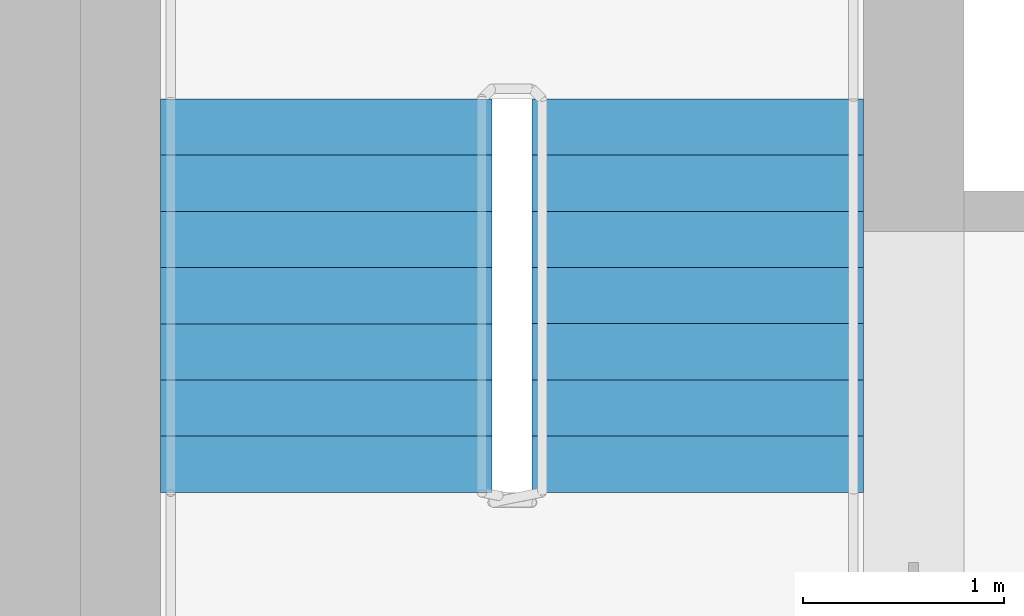
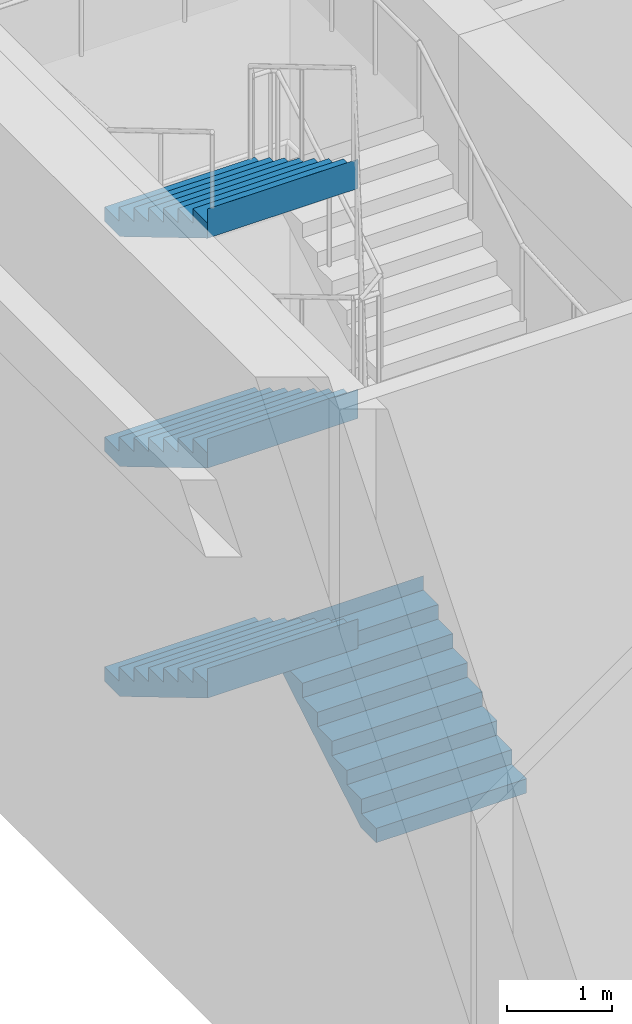
# One storey, part 6 of 11: 4 stair flights, 1 element without a shape of its own.
"""IFC4 building model written with IfcOpenShell, lengths in metres."""

from ifc_helpers import new_model, si_unit, direction, frame, origin, place, context, subcontext, project, spatial, polyline, outline, extrude, material, type_object, element, aggregate, save


model = new_model("IFC4")

# Units and contexts
model_context = context("Model", 3, precision=1e-05, world=origin(), true_north=direction((0.0, 1.0)))
body_context = subcontext(model_context, "Body", "Model", "MODEL_VIEW")
ifc_project = project(units=[si_unit("LENGTHUNIT", "METRE"), si_unit("AREAUNIT", "SQUARE_METRE"), si_unit("VOLUMEUNIT", "CUBIC_METRE"), si_unit("PLANEANGLEUNIT", "RADIAN"), si_unit("MASSUNIT", "GRAM", prefix="KILO")], contexts=[model_context])

# Site, building, storey
site_placement = place(None, origin())
site = spatial("IfcSite", under=ifc_project, at=site_placement, CompositionType="ELEMENT")
building_placement = place(site_placement, origin())
building = spatial("IfcBuilding", under=site, at=building_placement, Name="Tamorin Gate", CompositionType="ELEMENT")
storey_placement = place(building_placement, frame((0.0, 0.0, 258.199951171875)))
storey = spatial("IfcBuildingStorey", under=building, at=storey_placement, Name="L65", CompositionType="ELEMENT", Elevation=258.199951171875)

# Stair, stair flights
ifc_material = material(Name="Concrete C40/50", Category="concrete")
stair_type = type_object("IfcStairType", Name="Exit stair", PredefinedType="HALF_TURN_STAIR", material=ifc_material)
stair_placement = place(storey_placement, origin())
stair = element("IfcStair", 1, at=stair_placement, inside=storey, type_object=stair_type, Name="L65 stair ST2", PredefinedType="HALF_TURN_STAIR")
stair_flight_type = type_object("IfcStairFlightType", Name="Exit stair flight", PredefinedType="STRAIGHT", material=ifc_material)
stair_flight_1_placement = place(storey_placement, frame((33.675048828125, 77.0, 0.0), z_axis=(0.0, 0.0, 1.0), x_axis=(0.0, 1.0, 0.0)))
stair_flight_1 = element("IfcStairFlight", 2, at=stair_flight_1_placement, type_object=stair_flight_type, Name="ST2 flight 1", NumberOfRisers=8, NumberOfTreads=7, PredefinedType="STRAIGHT", RiserHeight=0.166666667, TreadLength=0.28, context=body_context, shape_type="SweptSolid", body=[
    extrude(outline(polyline([(-0.00048828125, 0.0), (-0.00048828125, 0.001708984375), (-0.00048828125, 0.00341796875), (-0.00048828125, 0.0048828125), (-0.00048828125, 0.006591796875), (-0.00048828125, 0.00830078125), (-0.00048828125, 0.010009765625), (-0.00048828125, 0.011474609375), (-0.00048828125, 0.01318359375), (-0.00048828125, 0.014892578125), (-0.00048828125, 0.0166015625), (-0.00048828125, 0.01806640625), (-0.00048828125, 0.019775390625), (-0.00048828125, 0.021484375), (-0.00048828125, 0.023193359375), (-0.00048828125, 0.024658203125), (-0.00048828125, 0.0263671875), (-0.00048828125, 0.028076171875), (-0.00048828125, 0.02978515625), (-0.00048828125, 0.03125), (-0.00048828125, 0.032958984375), (-0.00048828125, 0.03466796875), (-0.00048828125, 0.036376953125), (-0.00048828125, 0.037841796875), (-0.00048828125, 0.03955078125), (-0.00048828125, 0.041259765625), (-0.00048828125, 0.04296875), (-0.00048828125, 0.04443359375), (-0.00048828125, 0.046142578125), (-0.00048828125, 0.0478515625), (-0.00048828125, 0.049560546875), (-0.00048828125, 0.05126953125), (-0.00048828125, 0.052734375), (-0.00048828125, 0.054443359375), (-0.00048828125, 0.05615234375), (-0.00048828125, 0.057861328125), (-0.00048828125, 0.059326171875), (-0.00048828125, 0.06103515625), (-0.00048828125, 0.062744140625), (-0.00048828125, 0.064453125), (-0.00048828125, 0.06591796875), (-0.00048828125, 0.067626953125), (-0.00048828125, 0.0693359375), (-0.00048828125, 0.071044921875), (-0.00048828125, 0.072509765625), (-0.00048828125, 0.07421875), (-0.00048828125, 0.075927734375), (-0.00048828125, 0.07763671875), (-0.00048828125, 0.0791015625), (-0.00048828125, 0.080810546875), (-0.00048828125, 0.08251953125), (-0.00048828125, 0.084228515625), (-0.00048828125, 0.085693359375), (-0.00048828125, 0.08740234375), (-0.00048828125, 0.089111328125), (-0.00048828125, 0.0908203125), (-0.00048828125, 0.092529296875), (-0.00048828125, 0.093994140625), (-0.00048828125, 0.095703125), (-0.00048828125, 0.097412109375), (-0.00048828125, 0.09912109375), (-0.00048828125, 0.1005859375), (-0.00048828125, 0.102294921875), (-0.00048828125, 0.10400390625), (-0.00048828125, 0.105712890625), (-0.00048828125, 0.107177734375), (-0.00048828125, 0.10888671875), (-0.00048828125, 0.110595703125), (-0.00048828125, 0.1123046875), (-0.00048828125, 0.11376953125), (-0.00048828125, 0.115478515625), (-0.00048828125, 0.1171875), (-0.00048828125, 0.118896484375), (-0.00048828125, 0.120361328125), (-0.00048828125, 0.1220703125), (-0.00048828125, 0.123779296875), (-0.00048828125, 0.12548828125), (-0.00048828125, 0.126953125), (-0.00048828125, 0.128662109375), (-0.00048828125, 0.13037109375), (-0.00048828125, 0.132080078125), (-0.00048828125, 0.133544921875), (-0.00048828125, 0.13525390625), (-0.00048828125, 0.136962890625), (-0.00048828125, 0.138671875), (-0.00048828125, 0.140380859375), (-0.00048828125, 0.141845703125), (-0.00048828125, 0.1435546875), (-0.00048828125, 0.145263671875), (-0.00048828125, 0.14697265625), (-0.00048828125, 0.1484375), (-0.00048828125, 0.150146484375), (-0.00048828125, 0.15185546875), (-0.00048828125, 0.153564453125), (-0.00048828125, 0.155029296875), (-0.00048828125, 0.15673828125), (-0.00048828125, 0.158447265625), (-0.00048828125, 0.16015625), (-0.00048828125, 0.16162109375), (-0.00048828125, 0.163330078125), (-0.00048828125, 0.1650390625), (-0.00048828125, 0.166748046875), (0.280029296875, 0.166748046875), (0.280029296875, 0.333251953125), (0.56005859375, 0.333251953125), (0.56005859375, 0.5), (0.840087890625, 0.5), (0.840087890625, 0.666748046875), (1.1201171875, 0.666748046875), (1.1201171875, 0.833251953125), (1.39990234375, 0.833251953125), (1.39990234375, 1.0), (1.679931640625, 1.0), (1.679931640625, 1.166748046875), (1.9599609375, 1.166748046875), (1.9599609375, 1.333251953125), (1.96044921875, 1.333251953125), (1.96044921875, 1.329833984375), (1.96044921875, 1.32666015625), (1.96044921875, 1.3232421875), (1.96044921875, 1.31982421875), (1.96044921875, 1.31640625), (1.96044921875, 1.31298828125), (1.96044921875, 1.3095703125), (1.96044921875, 1.306396484375), (1.96044921875, 1.302978515625), (1.96044921875, 1.299560546875), (1.96044921875, 1.296142578125), (1.96044921875, 1.292724609375), (1.96044921875, 1.289306640625), (1.96044921875, 1.2861328125), (1.96044921875, 1.28271484375), (1.96044921875, 1.279296875), (1.96044921875, 1.27587890625), (1.96044921875, 1.2724609375), (1.96044921875, 1.26904296875), (1.96044921875, 1.265869140625), (1.96044921875, 1.262451171875), (1.96044921875, 1.259033203125), (1.96044921875, 1.255615234375), (1.96044921875, 1.252197265625), (1.96044921875, 1.248779296875), (1.96044921875, 1.24560546875), (1.96044921875, 1.2421875), (1.96044921875, 1.23876953125), (1.96044921875, 1.2353515625), (1.96044921875, 1.23193359375), (1.96044921875, 1.228515625), (1.96044921875, 1.225341796875), (1.96044921875, 1.221923828125), (1.96044921875, 1.218505859375), (1.96044921875, 1.215087890625), (1.96044921875, 1.211669921875), (1.96044921875, 1.208251953125), (1.96044921875, 1.205078125), (1.96044921875, 1.20166015625), (1.96044921875, 1.1982421875), (1.96044921875, 1.19482421875), (1.96044921875, 1.19140625), (1.96044921875, 1.18798828125), (1.96044921875, 1.184814453125), (1.96044921875, 1.181396484375), (1.96044921875, 1.177978515625), (1.96044921875, 1.174560546875), (1.96044921875, 1.171142578125), (1.96044921875, 1.167724609375), (1.96044921875, 1.16455078125), (1.96044921875, 1.1611328125), (1.96044921875, 1.15771484375), (1.96044921875, 1.154296875), (1.96044921875, 1.15087890625), (1.96044921875, 1.1474609375), (1.96044921875, 1.144287109375), (1.96044921875, 1.140869140625), (1.96044921875, 1.137451171875), (1.96044921875, 1.134033203125), (1.96044921875, 1.130615234375), (1.96044921875, 1.127197265625), (1.96044921875, 1.1240234375), (1.96044921875, 1.12060546875), (1.96044921875, 1.1171875), (1.96044921875, 1.11376953125), (1.96044921875, 1.1103515625), (1.96044921875, 1.10693359375), (1.96044921875, 1.103759765625), (1.96044921875, 1.100341796875), (1.96044921875, 1.096923828125), (1.96044921875, 1.093505859375), (1.96044921875, 1.090087890625), (1.96044921875, 1.086669921875), (1.96044921875, 1.08349609375), (1.96044921875, 1.080078125), (1.96044921875, 1.07666015625), (1.96044921875, 1.0732421875), (1.96044921875, 1.06982421875), (1.96044921875, 1.06640625), (1.96044921875, 1.063232421875), (1.96044921875, 1.059814453125), (1.96044921875, 1.056396484375), (1.96044921875, 1.052978515625), (1.96044921875, 1.049560546875), (1.96044921875, 1.046142578125), (1.96044921875, 1.04296875), (1.96044921875, 1.03955078125), (1.96044921875, 1.0361328125), (1.96044921875, 1.03271484375), (1.96044921875, 1.029296875), (1.96044921875, 1.02587890625), (1.96044921875, 1.022705078125), (1.96044921875, 1.019287109375), (1.96044921875, 1.015869140625), (1.96044921875, 1.012451171875), (1.96044921875, 1.009033203125), (1.96044921875, 1.005615234375), (1.96044921875, 1.00244140625), (1.96044921875, 0.9990234375), (1.96044921875, 0.99560546875), (1.96044921875, 0.9921875), (1.9599609375, 0.9921875), (0.29296875, 0.0), (-0.00048828125, 0.0)])), frame((0.0, 0.824951171875, 0.0), z_axis=(0.0, -1.0, 0.0), x_axis=(1.0, 0.0, 0.0)), (0.0, 0.0, 1.0), 1.64990234375),
])
stair_flight_2_placement = place(storey_placement, frame((31.824951171875, 78.9599609375, 1.33349609375), z_axis=(0.0, 0.0, 1.0), x_axis=(0.0, -1.0, 0.0)))
stair_flight_2 = element("IfcStairFlight", 3, at=stair_flight_2_placement, type_object=stair_flight_type, Name="ST2 flight 2", NumberOfRisers=8, NumberOfTreads=7, PredefinedType="STRAIGHT", RiserHeight=0.166666667, TreadLength=0.28, context=body_context, shape_type="SweptSolid", body=[
    extrude(outline(polyline([(-0.00048828125, 0.0), (-0.00048828125, 0.001708984375), (-0.00048828125, 0.00341796875), (-0.00048828125, 0.0048828125), (-0.00048828125, 0.006591796875), (-0.00048828125, 0.00830078125), (-0.00048828125, 0.010009765625), (-0.00048828125, 0.011474609375), (-0.00048828125, 0.01318359375), (-0.00048828125, 0.014892578125), (-0.00048828125, 0.0166015625), (-0.00048828125, 0.01806640625), (-0.00048828125, 0.019775390625), (-0.00048828125, 0.021484375), (-0.00048828125, 0.023193359375), (-0.00048828125, 0.024658203125), (-0.00048828125, 0.0263671875), (-0.00048828125, 0.028076171875), (-0.00048828125, 0.02978515625), (-0.00048828125, 0.03125), (-0.00048828125, 0.032958984375), (-0.00048828125, 0.03466796875), (-0.00048828125, 0.036376953125), (-0.00048828125, 0.037841796875), (-0.00048828125, 0.03955078125), (-0.00048828125, 0.041259765625), (-0.00048828125, 0.04296875), (-0.00048828125, 0.04443359375), (-0.00048828125, 0.046142578125), (-0.00048828125, 0.0478515625), (-0.00048828125, 0.049560546875), (-0.00048828125, 0.05126953125), (-0.00048828125, 0.052734375), (-0.00048828125, 0.054443359375), (-0.00048828125, 0.05615234375), (-0.00048828125, 0.057861328125), (-0.00048828125, 0.059326171875), (-0.00048828125, 0.06103515625), (-0.00048828125, 0.062744140625), (-0.00048828125, 0.064453125), (-0.00048828125, 0.06591796875), (-0.00048828125, 0.067626953125), (-0.00048828125, 0.0693359375), (-0.00048828125, 0.071044921875), (-0.00048828125, 0.072509765625), (-0.00048828125, 0.07421875), (-0.00048828125, 0.075927734375), (-0.00048828125, 0.07763671875), (-0.00048828125, 0.0791015625), (-0.00048828125, 0.080810546875), (-0.00048828125, 0.08251953125), (-0.00048828125, 0.084228515625), (-0.00048828125, 0.085693359375), (-0.00048828125, 0.08740234375), (-0.00048828125, 0.089111328125), (-0.00048828125, 0.0908203125), (-0.00048828125, 0.092529296875), (-0.00048828125, 0.093994140625), (-0.00048828125, 0.095703125), (-0.00048828125, 0.097412109375), (-0.00048828125, 0.09912109375), (-0.00048828125, 0.1005859375), (-0.00048828125, 0.102294921875), (-0.00048828125, 0.10400390625), (-0.00048828125, 0.105712890625), (-0.00048828125, 0.107177734375), (-0.00048828125, 0.10888671875), (-0.00048828125, 0.110595703125), (-0.00048828125, 0.1123046875), (-0.00048828125, 0.11376953125), (-0.00048828125, 0.115478515625), (-0.00048828125, 0.1171875), (-0.00048828125, 0.118896484375), (-0.00048828125, 0.120361328125), (-0.00048828125, 0.1220703125), (-0.00048828125, 0.123779296875), (-0.00048828125, 0.12548828125), (-0.00048828125, 0.126953125), (-0.00048828125, 0.128662109375), (-0.00048828125, 0.13037109375), (-0.00048828125, 0.132080078125), (-0.00048828125, 0.133544921875), (-0.00048828125, 0.13525390625), (-0.00048828125, 0.136962890625), (-0.00048828125, 0.138671875), (-0.00048828125, 0.140380859375), (-0.00048828125, 0.141845703125), (-0.00048828125, 0.1435546875), (-0.00048828125, 0.145263671875), (-0.00048828125, 0.14697265625), (-0.00048828125, 0.1484375), (-0.00048828125, 0.150146484375), (-0.00048828125, 0.15185546875), (-0.00048828125, 0.153564453125), (-0.00048828125, 0.155029296875), (-0.00048828125, 0.15673828125), (-0.00048828125, 0.158447265625), (-0.00048828125, 0.16015625), (-0.00048828125, 0.16162109375), (-0.00048828125, 0.163330078125), (-0.00048828125, 0.1650390625), (-0.00048828125, 0.166748046875), (0.280029296875, 0.166748046875), (0.280029296875, 0.333251953125), (0.56005859375, 0.333251953125), (0.56005859375, 0.5), (0.840087890625, 0.5), (0.840087890625, 0.666748046875), (1.1201171875, 0.666748046875), (1.1201171875, 0.833251953125), (1.39990234375, 0.833251953125), (1.39990234375, 1.0), (1.679931640625, 1.0), (1.679931640625, 1.166748046875), (1.9599609375, 1.166748046875), (1.9599609375, 1.333251953125), (1.96044921875, 1.333251953125), (1.96044921875, 1.329833984375), (1.96044921875, 1.32666015625), (1.96044921875, 1.3232421875), (1.96044921875, 1.31982421875), (1.96044921875, 1.31640625), (1.96044921875, 1.31298828125), (1.96044921875, 1.3095703125), (1.96044921875, 1.306396484375), (1.96044921875, 1.302978515625), (1.96044921875, 1.299560546875), (1.96044921875, 1.296142578125), (1.96044921875, 1.292724609375), (1.96044921875, 1.289306640625), (1.96044921875, 1.2861328125), (1.96044921875, 1.28271484375), (1.96044921875, 1.279296875), (1.96044921875, 1.27587890625), (1.96044921875, 1.2724609375), (1.96044921875, 1.26904296875), (1.96044921875, 1.265869140625), (1.96044921875, 1.262451171875), (1.96044921875, 1.259033203125), (1.96044921875, 1.255615234375), (1.96044921875, 1.252197265625), (1.96044921875, 1.248779296875), (1.96044921875, 1.24560546875), (1.96044921875, 1.2421875), (1.96044921875, 1.23876953125), (1.96044921875, 1.2353515625), (1.96044921875, 1.23193359375), (1.96044921875, 1.228515625), (1.96044921875, 1.225341796875), (1.96044921875, 1.221923828125), (1.96044921875, 1.218505859375), (1.96044921875, 1.215087890625), (1.96044921875, 1.211669921875), (1.96044921875, 1.208251953125), (1.96044921875, 1.205078125), (1.96044921875, 1.20166015625), (1.96044921875, 1.1982421875), (1.96044921875, 1.19482421875), (1.96044921875, 1.19140625), (1.96044921875, 1.18798828125), (1.96044921875, 1.184814453125), (1.96044921875, 1.181396484375), (1.96044921875, 1.177978515625), (1.96044921875, 1.174560546875), (1.96044921875, 1.171142578125), (1.96044921875, 1.167724609375), (1.96044921875, 1.16455078125), (1.96044921875, 1.1611328125), (1.96044921875, 1.15771484375), (1.96044921875, 1.154296875), (1.96044921875, 1.15087890625), (1.96044921875, 1.1474609375), (1.96044921875, 1.144287109375), (1.96044921875, 1.140869140625), (1.96044921875, 1.137451171875), (1.96044921875, 1.134033203125), (1.96044921875, 1.130615234375), (1.96044921875, 1.127197265625), (1.96044921875, 1.1240234375), (1.96044921875, 1.12060546875), (1.96044921875, 1.1171875), (1.96044921875, 1.11376953125), (1.96044921875, 1.1103515625), (1.96044921875, 1.10693359375), (1.96044921875, 1.103759765625), (1.96044921875, 1.100341796875), (1.96044921875, 1.096923828125), (1.96044921875, 1.093505859375), (1.96044921875, 1.090087890625), (1.96044921875, 1.086669921875), (1.96044921875, 1.08349609375), (1.96044921875, 1.080078125), (1.96044921875, 1.07666015625), (1.96044921875, 1.0732421875), (1.96044921875, 1.06982421875), (1.96044921875, 1.06640625), (1.96044921875, 1.063232421875), (1.96044921875, 1.059814453125), (1.96044921875, 1.056396484375), (1.96044921875, 1.052978515625), (1.96044921875, 1.049560546875), (1.96044921875, 1.046142578125), (1.96044921875, 1.04296875), (1.96044921875, 1.03955078125), (1.96044921875, 1.0361328125), (1.96044921875, 1.03271484375), (1.96044921875, 1.029296875), (1.96044921875, 1.02587890625), (1.96044921875, 1.022705078125), (1.96044921875, 1.019287109375), (1.96044921875, 1.015869140625), (1.96044921875, 1.012451171875), (1.96044921875, 1.009033203125), (1.96044921875, 1.005615234375), (1.96044921875, 1.00244140625), (1.96044921875, 0.9990234375), (1.96044921875, 0.99560546875), (1.96044921875, 0.9921875), (1.9599609375, 0.9921875), (0.29296875, 0.0), (-0.00048828125, 0.0)])), frame((0.0, 0.824951171875, 0.0), z_axis=(0.0, -1.0, 0.0), x_axis=(1.0, 0.0, 0.0)), (0.0, 0.0, 1.0), 1.64990234375),
])
stair_flight_3_placement = place(storey_placement, frame((31.824951171875, 78.9599609375, 4.0), z_axis=(0.0, 0.0, 1.0), x_axis=(0.0, -1.0, 0.0)))
stair_flight_3 = element("IfcStairFlight", 4, at=stair_flight_3_placement, type_object=stair_flight_type, Name="ST2 flight 4", NumberOfRisers=8, NumberOfTreads=7, PredefinedType="STRAIGHT", RiserHeight=0.166666667, TreadLength=0.28, context=body_context, shape_type="SweptSolid", body=[
    extrude(outline(polyline([(-0.00048828125, 0.0), (-0.00048828125, 0.001708984375), (-0.00048828125, 0.00341796875), (-0.00048828125, 0.0048828125), (-0.00048828125, 0.006591796875), (-0.00048828125, 0.00830078125), (-0.00048828125, 0.010009765625), (-0.00048828125, 0.011474609375), (-0.00048828125, 0.01318359375), (-0.00048828125, 0.014892578125), (-0.00048828125, 0.0166015625), (-0.00048828125, 0.01806640625), (-0.00048828125, 0.019775390625), (-0.00048828125, 0.021484375), (-0.00048828125, 0.023193359375), (-0.00048828125, 0.024658203125), (-0.00048828125, 0.0263671875), (-0.00048828125, 0.028076171875), (-0.00048828125, 0.02978515625), (-0.00048828125, 0.03125), (-0.00048828125, 0.032958984375), (-0.00048828125, 0.03466796875), (-0.00048828125, 0.036376953125), (-0.00048828125, 0.037841796875), (-0.00048828125, 0.03955078125), (-0.00048828125, 0.041259765625), (-0.00048828125, 0.04296875), (-0.00048828125, 0.04443359375), (-0.00048828125, 0.046142578125), (-0.00048828125, 0.0478515625), (-0.00048828125, 0.049560546875), (-0.00048828125, 0.05126953125), (-0.00048828125, 0.052734375), (-0.00048828125, 0.054443359375), (-0.00048828125, 0.05615234375), (-0.00048828125, 0.057861328125), (-0.00048828125, 0.059326171875), (-0.00048828125, 0.06103515625), (-0.00048828125, 0.062744140625), (-0.00048828125, 0.064453125), (-0.00048828125, 0.06591796875), (-0.00048828125, 0.067626953125), (-0.00048828125, 0.0693359375), (-0.00048828125, 0.071044921875), (-0.00048828125, 0.072509765625), (-0.00048828125, 0.07421875), (-0.00048828125, 0.075927734375), (-0.00048828125, 0.07763671875), (-0.00048828125, 0.0791015625), (-0.00048828125, 0.080810546875), (-0.00048828125, 0.08251953125), (-0.00048828125, 0.084228515625), (-0.00048828125, 0.085693359375), (-0.00048828125, 0.08740234375), (-0.00048828125, 0.089111328125), (-0.00048828125, 0.0908203125), (-0.00048828125, 0.092529296875), (-0.00048828125, 0.093994140625), (-0.00048828125, 0.095703125), (-0.00048828125, 0.097412109375), (-0.00048828125, 0.09912109375), (-0.00048828125, 0.1005859375), (-0.00048828125, 0.102294921875), (-0.00048828125, 0.10400390625), (-0.00048828125, 0.105712890625), (-0.00048828125, 0.107177734375), (-0.00048828125, 0.10888671875), (-0.00048828125, 0.110595703125), (-0.00048828125, 0.1123046875), (-0.00048828125, 0.11376953125), (-0.00048828125, 0.115478515625), (-0.00048828125, 0.1171875), (-0.00048828125, 0.118896484375), (-0.00048828125, 0.120361328125), (-0.00048828125, 0.1220703125), (-0.00048828125, 0.123779296875), (-0.00048828125, 0.12548828125), (-0.00048828125, 0.126953125), (-0.00048828125, 0.128662109375), (-0.00048828125, 0.13037109375), (-0.00048828125, 0.132080078125), (-0.00048828125, 0.133544921875), (-0.00048828125, 0.13525390625), (-0.00048828125, 0.136962890625), (-0.00048828125, 0.138671875), (-0.00048828125, 0.140380859375), (-0.00048828125, 0.141845703125), (-0.00048828125, 0.1435546875), (-0.00048828125, 0.145263671875), (-0.00048828125, 0.14697265625), (-0.00048828125, 0.1484375), (-0.00048828125, 0.150146484375), (-0.00048828125, 0.15185546875), (-0.00048828125, 0.153564453125), (-0.00048828125, 0.155029296875), (-0.00048828125, 0.15673828125), (-0.00048828125, 0.158447265625), (-0.00048828125, 0.16015625), (-0.00048828125, 0.16162109375), (-0.00048828125, 0.163330078125), (-0.00048828125, 0.1650390625), (-0.00048828125, 0.166748046875), (0.280029296875, 0.166748046875), (0.280029296875, 0.333251953125), (0.56005859375, 0.333251953125), (0.56005859375, 0.5), (0.840087890625, 0.5), (0.840087890625, 0.666748046875), (1.1201171875, 0.666748046875), (1.1201171875, 0.833251953125), (1.39990234375, 0.833251953125), (1.39990234375, 1.0), (1.679931640625, 1.0), (1.679931640625, 1.166748046875), (1.9599609375, 1.166748046875), (1.9599609375, 1.333251953125), (1.96044921875, 1.333251953125), (1.96044921875, 1.329833984375), (1.96044921875, 1.32666015625), (1.96044921875, 1.3232421875), (1.96044921875, 1.31982421875), (1.96044921875, 1.31640625), (1.96044921875, 1.31298828125), (1.96044921875, 1.3095703125), (1.96044921875, 1.306396484375), (1.96044921875, 1.302978515625), (1.96044921875, 1.299560546875), (1.96044921875, 1.296142578125), (1.96044921875, 1.292724609375), (1.96044921875, 1.289306640625), (1.96044921875, 1.2861328125), (1.96044921875, 1.28271484375), (1.96044921875, 1.279296875), (1.96044921875, 1.27587890625), (1.96044921875, 1.2724609375), (1.96044921875, 1.26904296875), (1.96044921875, 1.265869140625), (1.96044921875, 1.262451171875), (1.96044921875, 1.259033203125), (1.96044921875, 1.255615234375), (1.96044921875, 1.252197265625), (1.96044921875, 1.248779296875), (1.96044921875, 1.24560546875), (1.96044921875, 1.2421875), (1.96044921875, 1.23876953125), (1.96044921875, 1.2353515625), (1.96044921875, 1.23193359375), (1.96044921875, 1.228515625), (1.96044921875, 1.225341796875), (1.96044921875, 1.221923828125), (1.96044921875, 1.218505859375), (1.96044921875, 1.215087890625), (1.96044921875, 1.211669921875), (1.96044921875, 1.208251953125), (1.96044921875, 1.205078125), (1.96044921875, 1.20166015625), (1.96044921875, 1.1982421875), (1.96044921875, 1.19482421875), (1.96044921875, 1.19140625), (1.96044921875, 1.18798828125), (1.96044921875, 1.184814453125), (1.96044921875, 1.181396484375), (1.96044921875, 1.177978515625), (1.96044921875, 1.174560546875), (1.96044921875, 1.171142578125), (1.96044921875, 1.167724609375), (1.96044921875, 1.16455078125), (1.96044921875, 1.1611328125), (1.96044921875, 1.15771484375), (1.96044921875, 1.154296875), (1.96044921875, 1.15087890625), (1.96044921875, 1.1474609375), (1.96044921875, 1.144287109375), (1.96044921875, 1.140869140625), (1.96044921875, 1.137451171875), (1.96044921875, 1.134033203125), (1.96044921875, 1.130615234375), (1.96044921875, 1.127197265625), (1.96044921875, 1.1240234375), (1.96044921875, 1.12060546875), (1.96044921875, 1.1171875), (1.96044921875, 1.11376953125), (1.96044921875, 1.1103515625), (1.96044921875, 1.10693359375), (1.96044921875, 1.103759765625), (1.96044921875, 1.100341796875), (1.96044921875, 1.096923828125), (1.96044921875, 1.093505859375), (1.96044921875, 1.090087890625), (1.96044921875, 1.086669921875), (1.96044921875, 1.08349609375), (1.96044921875, 1.080078125), (1.96044921875, 1.07666015625), (1.96044921875, 1.0732421875), (1.96044921875, 1.06982421875), (1.96044921875, 1.06640625), (1.96044921875, 1.063232421875), (1.96044921875, 1.059814453125), (1.96044921875, 1.056396484375), (1.96044921875, 1.052978515625), (1.96044921875, 1.049560546875), (1.96044921875, 1.046142578125), (1.96044921875, 1.04296875), (1.96044921875, 1.03955078125), (1.96044921875, 1.0361328125), (1.96044921875, 1.03271484375), (1.96044921875, 1.029296875), (1.96044921875, 1.02587890625), (1.96044921875, 1.022705078125), (1.96044921875, 1.019287109375), (1.96044921875, 1.015869140625), (1.96044921875, 1.012451171875), (1.96044921875, 1.009033203125), (1.96044921875, 1.005615234375), (1.96044921875, 1.00244140625), (1.96044921875, 0.9990234375), (1.96044921875, 0.99560546875), (1.96044921875, 0.9921875), (1.9599609375, 0.9921875), (0.29296875, 0.0), (-0.00048828125, 0.0)])), frame((0.0, 0.824951171875, 0.0), z_axis=(0.0, -1.0, 0.0), x_axis=(1.0, 0.0, 0.0)), (0.0, 0.0, 1.0), 1.64990234375),
])
stair_flight_4_placement = place(storey_placement, frame((31.824951171875, 78.9599609375, 6.666748046875), z_axis=(0.0, 0.0, 1.0), x_axis=(0.0, -1.0, 0.0)))
stair_flight_4 = element("IfcStairFlight", 5, at=stair_flight_4_placement, type_object=stair_flight_type, Name="ST2 flight 6", NumberOfRisers=8, NumberOfTreads=7, PredefinedType="STRAIGHT", RiserHeight=0.166666667, TreadLength=0.28, context=body_context, shape_type="SweptSolid", body=[
    extrude(outline(polyline([(-0.00048828125, 0.0), (-0.00048828125, 0.001708984375), (-0.00048828125, 0.00341796875), (-0.00048828125, 0.0048828125), (-0.00048828125, 0.006591796875), (-0.00048828125, 0.00830078125), (-0.00048828125, 0.010009765625), (-0.00048828125, 0.011474609375), (-0.00048828125, 0.01318359375), (-0.00048828125, 0.014892578125), (-0.00048828125, 0.0166015625), (-0.00048828125, 0.01806640625), (-0.00048828125, 0.019775390625), (-0.00048828125, 0.021484375), (-0.00048828125, 0.023193359375), (-0.00048828125, 0.024658203125), (-0.00048828125, 0.0263671875), (-0.00048828125, 0.028076171875), (-0.00048828125, 0.02978515625), (-0.00048828125, 0.03125), (-0.00048828125, 0.032958984375), (-0.00048828125, 0.03466796875), (-0.00048828125, 0.036376953125), (-0.00048828125, 0.037841796875), (-0.00048828125, 0.03955078125), (-0.00048828125, 0.041259765625), (-0.00048828125, 0.04296875), (-0.00048828125, 0.04443359375), (-0.00048828125, 0.046142578125), (-0.00048828125, 0.0478515625), (-0.00048828125, 0.049560546875), (-0.00048828125, 0.05126953125), (-0.00048828125, 0.052734375), (-0.00048828125, 0.054443359375), (-0.00048828125, 0.05615234375), (-0.00048828125, 0.057861328125), (-0.00048828125, 0.059326171875), (-0.00048828125, 0.06103515625), (-0.00048828125, 0.062744140625), (-0.00048828125, 0.064453125), (-0.00048828125, 0.06591796875), (-0.00048828125, 0.067626953125), (-0.00048828125, 0.0693359375), (-0.00048828125, 0.071044921875), (-0.00048828125, 0.072509765625), (-0.00048828125, 0.07421875), (-0.00048828125, 0.075927734375), (-0.00048828125, 0.07763671875), (-0.00048828125, 0.0791015625), (-0.00048828125, 0.080810546875), (-0.00048828125, 0.08251953125), (-0.00048828125, 0.084228515625), (-0.00048828125, 0.085693359375), (-0.00048828125, 0.08740234375), (-0.00048828125, 0.089111328125), (-0.00048828125, 0.0908203125), (-0.00048828125, 0.092529296875), (-0.00048828125, 0.093994140625), (-0.00048828125, 0.095703125), (-0.00048828125, 0.097412109375), (-0.00048828125, 0.09912109375), (-0.00048828125, 0.1005859375), (-0.00048828125, 0.102294921875), (-0.00048828125, 0.10400390625), (-0.00048828125, 0.105712890625), (-0.00048828125, 0.107177734375), (-0.00048828125, 0.10888671875), (-0.00048828125, 0.110595703125), (-0.00048828125, 0.1123046875), (-0.00048828125, 0.11376953125), (-0.00048828125, 0.115478515625), (-0.00048828125, 0.1171875), (-0.00048828125, 0.118896484375), (-0.00048828125, 0.120361328125), (-0.00048828125, 0.1220703125), (-0.00048828125, 0.123779296875), (-0.00048828125, 0.12548828125), (-0.00048828125, 0.126953125), (-0.00048828125, 0.128662109375), (-0.00048828125, 0.13037109375), (-0.00048828125, 0.132080078125), (-0.00048828125, 0.133544921875), (-0.00048828125, 0.13525390625), (-0.00048828125, 0.136962890625), (-0.00048828125, 0.138671875), (-0.00048828125, 0.140380859375), (-0.00048828125, 0.141845703125), (-0.00048828125, 0.1435546875), (-0.00048828125, 0.145263671875), (-0.00048828125, 0.14697265625), (-0.00048828125, 0.1484375), (-0.00048828125, 0.150146484375), (-0.00048828125, 0.15185546875), (-0.00048828125, 0.153564453125), (-0.00048828125, 0.155029296875), (-0.00048828125, 0.15673828125), (-0.00048828125, 0.158447265625), (-0.00048828125, 0.16015625), (-0.00048828125, 0.16162109375), (-0.00048828125, 0.163330078125), (-0.00048828125, 0.1650390625), (-0.00048828125, 0.166748046875), (0.280029296875, 0.166748046875), (0.280029296875, 0.333251953125), (0.56005859375, 0.333251953125), (0.56005859375, 0.5), (0.840087890625, 0.5), (0.840087890625, 0.666748046875), (1.1201171875, 0.666748046875), (1.1201171875, 0.833251953125), (1.39990234375, 0.833251953125), (1.39990234375, 1.0), (1.679931640625, 1.0), (1.679931640625, 1.166748046875), (1.9599609375, 1.166748046875), (1.9599609375, 1.333251953125), (1.96044921875, 1.333251953125), (1.96044921875, 1.329833984375), (1.96044921875, 1.32666015625), (1.96044921875, 1.3232421875), (1.96044921875, 1.31982421875), (1.96044921875, 1.31640625), (1.96044921875, 1.31298828125), (1.96044921875, 1.3095703125), (1.96044921875, 1.306396484375), (1.96044921875, 1.302978515625), (1.96044921875, 1.299560546875), (1.96044921875, 1.296142578125), (1.96044921875, 1.292724609375), (1.96044921875, 1.289306640625), (1.96044921875, 1.2861328125), (1.96044921875, 1.28271484375), (1.96044921875, 1.279296875), (1.96044921875, 1.27587890625), (1.96044921875, 1.2724609375), (1.96044921875, 1.26904296875), (1.96044921875, 1.265869140625), (1.96044921875, 1.262451171875), (1.96044921875, 1.259033203125), (1.96044921875, 1.255615234375), (1.96044921875, 1.252197265625), (1.96044921875, 1.248779296875), (1.96044921875, 1.24560546875), (1.96044921875, 1.2421875), (1.96044921875, 1.23876953125), (1.96044921875, 1.2353515625), (1.96044921875, 1.23193359375), (1.96044921875, 1.228515625), (1.96044921875, 1.225341796875), (1.96044921875, 1.221923828125), (1.96044921875, 1.218505859375), (1.96044921875, 1.215087890625), (1.96044921875, 1.211669921875), (1.96044921875, 1.208251953125), (1.96044921875, 1.205078125), (1.96044921875, 1.20166015625), (1.96044921875, 1.1982421875), (1.96044921875, 1.19482421875), (1.96044921875, 1.19140625), (1.96044921875, 1.18798828125), (1.96044921875, 1.184814453125), (1.96044921875, 1.181396484375), (1.96044921875, 1.177978515625), (1.96044921875, 1.174560546875), (1.96044921875, 1.171142578125), (1.96044921875, 1.167724609375), (1.96044921875, 1.16455078125), (1.96044921875, 1.1611328125), (1.96044921875, 1.15771484375), (1.96044921875, 1.154296875), (1.96044921875, 1.15087890625), (1.96044921875, 1.1474609375), (1.96044921875, 1.144287109375), (1.96044921875, 1.140869140625), (1.96044921875, 1.137451171875), (1.96044921875, 1.134033203125), (1.96044921875, 1.130615234375), (1.96044921875, 1.127197265625), (1.96044921875, 1.1240234375), (1.96044921875, 1.12060546875), (1.96044921875, 1.1171875), (1.96044921875, 1.11376953125), (1.96044921875, 1.1103515625), (1.96044921875, 1.10693359375), (1.96044921875, 1.103759765625), (1.96044921875, 1.100341796875), (1.96044921875, 1.096923828125), (1.96044921875, 1.093505859375), (1.96044921875, 1.090087890625), (1.96044921875, 1.086669921875), (1.96044921875, 1.08349609375), (1.96044921875, 1.080078125), (1.96044921875, 1.07666015625), (1.96044921875, 1.0732421875), (1.96044921875, 1.06982421875), (1.96044921875, 1.06640625), (1.96044921875, 1.063232421875), (1.96044921875, 1.059814453125), (1.96044921875, 1.056396484375), (1.96044921875, 1.052978515625), (1.96044921875, 1.049560546875), (1.96044921875, 1.046142578125), (1.96044921875, 1.04296875), (1.96044921875, 1.03955078125), (1.96044921875, 1.0361328125), (1.96044921875, 1.03271484375), (1.96044921875, 1.029296875), (1.96044921875, 1.02587890625), (1.96044921875, 1.022705078125), (1.96044921875, 1.019287109375), (1.96044921875, 1.015869140625), (1.96044921875, 1.012451171875), (1.96044921875, 1.009033203125), (1.96044921875, 1.005615234375), (1.96044921875, 1.00244140625), (1.96044921875, 0.9990234375), (1.96044921875, 0.99560546875), (1.96044921875, 0.9921875), (1.9599609375, 0.9921875), (0.29296875, 0.0), (-0.00048828125, 0.0)])), frame((0.0, 0.824951171875, 0.0), z_axis=(0.0, -1.0, 0.0), x_axis=(1.0, 0.0, 0.0)), (0.0, 0.0, 1.0), 1.64990234375),
])
aggregate(stair, [stair_flight_1, stair_flight_2, stair_flight_3, stair_flight_4])

save(model, "model.ifc")
